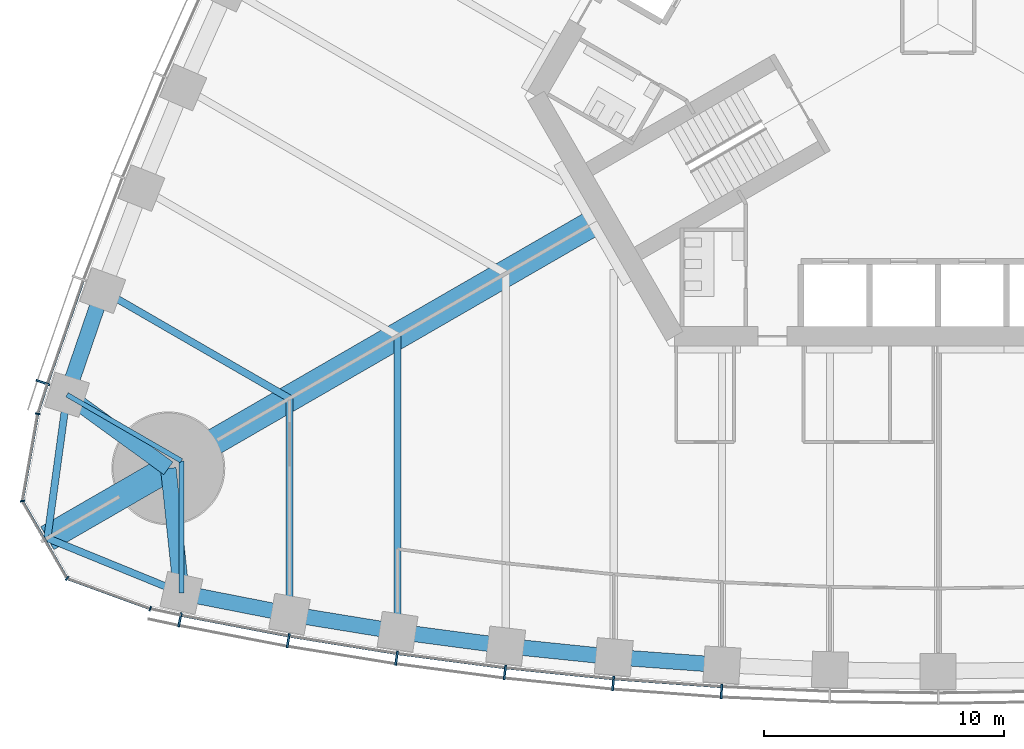
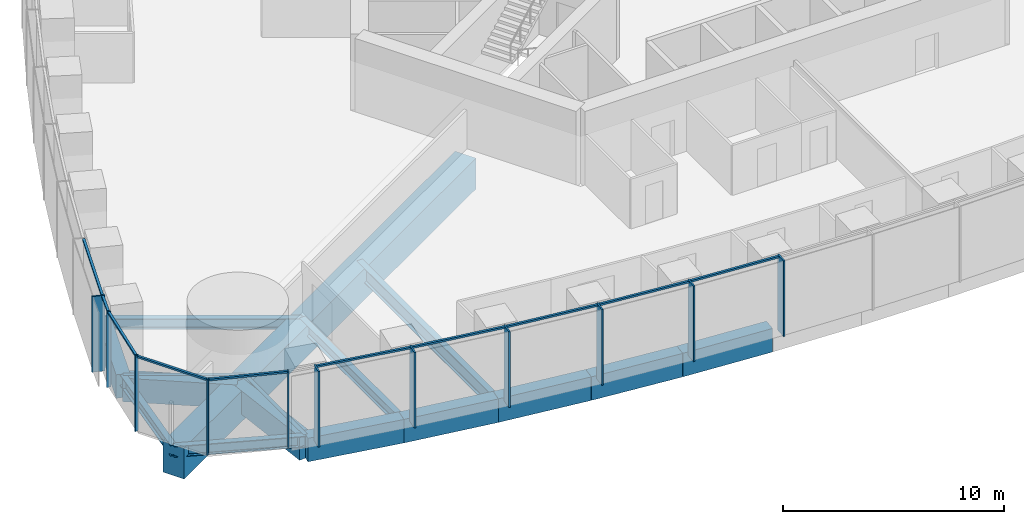
# One storey, part 2 of 19: 21 members, 17 beams, 3 elements without a shape of their own.
"""IFC4 building model written with IfcOpenShell, lengths in metres."""

from ifc_helpers import new_model, si_unit, direction, frame, origin, origin_2d, place, context, subcontext, project, spatial, rectangle, i_section, extrude, material, material_profile, profile_set, type_object, element, aggregate, save


model = new_model("IFC4")

# Units and contexts
model_context = context("Model", 3, precision=1e-05, world=origin(), true_north=direction((0.0, 1.0)))
body_context = subcontext(model_context, "Body", "Model", "MODEL_VIEW")
ifc_project = project(units=[si_unit("LENGTHUNIT", "METRE"), si_unit("AREAUNIT", "SQUARE_METRE"), si_unit("VOLUMEUNIT", "CUBIC_METRE"), si_unit("PLANEANGLEUNIT", "RADIAN"), si_unit("MASSUNIT", "GRAM", prefix="KILO")], contexts=[model_context])

# Site, building, storey
site_placement = place(None, origin())
site = spatial("IfcSite", under=ifc_project, at=site_placement, CompositionType="ELEMENT")
building_placement = place(site_placement, origin())
building = spatial("IfcBuilding", under=site, at=building_placement, Name="Trefoil Bronze Tower", CompositionType="ELEMENT")
storey_placement = place(building_placement, frame((0.0, 0.0, 16.5)))
storey = spatial("IfcBuildingStorey", under=building, at=storey_placement, Name="L03", CompositionType="ELEMENT", Elevation=16.5)

# Curtain wall, members
ifc_material_1 = material(Name="Tinted solar-control glass", Category="glass")
curtain_wall_type_1 = type_object("IfcCurtainWallType", Name="Bronze office curtain wall", PredefinedType="USERDEFINED", material=ifc_material_1)
curtain_wall_1_placement = place(storey_placement, origin())
curtain_wall_1 = element("IfcCurtainWall", 1, at=curtain_wall_1_placement, inside=storey, type_object=curtain_wall_type_1, Name="CW-A L03 F1", ObjectType="CURTAIN WALL", PredefinedType="USERDEFINED")
ifc_material_2 = material(Name="Bronze-finish aluminium", Category="aluminium")
ifc_material_profile_1 = material_profile(ifc_material_2, rectangle(XDim=0.60009765625, YDim=0.080078125, at=origin_2d()), Name="CW-A mullion")
ifc_profile_set_1 = profile_set([ifc_material_profile_1], Name="Bronze-finish aluminium")
member_type_1 = type_object("IfcMemberType", Name="Bronze office curtain wall mullion", PredefinedType="MULLION", material=ifc_profile_set_1)
member_1_placement = place(storey_placement, frame((-31.559326171875, -24.81005859375, 0.0), z_axis=(0.0, 0.0, 1.0), x_axis=(0.197910006829, 0.98022019424, 0.0)))
member_1 = element("IfcMember", 2, at=member_1_placement, type_object=member_type_1, Name="CW-A L03 F1 mullion 2", PredefinedType="MULLION", context=body_context, shape_type="SweptSolid", body=[
    extrude(rectangle(XDim=0.60009765625, YDim=0.080078125, at=origin_2d()), origin(), (0.0, 0.0, 1.0), 4.179931640625),
])
member_2_placement = place(storey_placement, frame((-27.05224609375, -25.67578125, 0.0), z_axis=(0.0, 0.0, 1.0), x_axis=(0.174131146426, 0.984722470468, 0.0)))
member_2 = element("IfcMember", 3, at=member_2_placement, type_object=member_type_1, Name="CW-A L03 F1 mullion 3", PredefinedType="MULLION", context=body_context, shape_type="SweptSolid", body=[
    extrude(rectangle(XDim=0.60009765625, YDim=0.080078125, at=origin_2d()), origin(), (0.0, 0.0, 1.0), 4.179931640625),
])
member_3_placement = place(storey_placement, frame((-22.54345703125, -26.40478515625, 0.0), z_axis=(0.0, 0.0, 1.0), x_axis=(0.145108990094, 0.989415676546, 0.0)))
member_3 = element("IfcMember", 4, at=member_3_placement, type_object=member_type_1, Name="CW-A L03 F1 mullion 4", PredefinedType="MULLION", context=body_context, shape_type="SweptSolid", body=[
    extrude(rectangle(XDim=0.60009765625, YDim=0.080078125, at=origin_2d()), origin(), (0.0, 0.0, 1.0), 4.179931640625),
])
member_4_placement = place(storey_placement, frame((-18.034912109375, -26.99853515625, 0.0), z_axis=(0.0, 0.0, 1.0), x_axis=(0.116086999973, 0.993239048989, 0.0)))
member_4 = element("IfcMember", 5, at=member_4_placement, type_object=member_type_1, Name="CW-A L03 F1 mullion 5", PredefinedType="MULLION", context=body_context, shape_type="SweptSolid", body=[
    extrude(rectangle(XDim=0.60009765625, YDim=0.080078125, at=origin_2d()), origin(), (0.0, 0.0, 1.0), 4.179931640625),
])
member_5_placement = place(storey_placement, frame((-13.526123046875, -27.458984375, 0.0), z_axis=(0.0, 0.0, 1.0), x_axis=(0.087065139456, 0.996202620701, 0.0)))
member_5 = element("IfcMember", 6, at=member_5_placement, type_object=member_type_1, Name="CW-A L03 F1 mullion 6", PredefinedType="MULLION", context=body_context, shape_type="SweptSolid", body=[
    extrude(rectangle(XDim=0.60009765625, YDim=0.080078125, at=origin_2d()), origin(), (0.0, 0.0, 1.0), 4.179931640625),
])
member_6_placement = place(storey_placement, frame((-9.017333984375, -27.786865234375, 0.0), z_axis=(0.0, 0.0, 1.0), x_axis=(0.058043374207, 0.998314062162, 0.0)))
member_6 = element("IfcMember", 7, at=member_6_placement, type_object=member_type_1, Name="CW-A L03 F1 mullion 7", PredefinedType="MULLION", context=body_context, shape_type="SweptSolid", body=[
    extrude(rectangle(XDim=0.60009765625, YDim=0.080078125, at=origin_2d()), origin(), (0.0, 0.0, 1.0), 4.179931640625),
])

# Curtain wall, member
curtain_wall_2_placement = place(storey_placement, origin())
curtain_wall_2 = element("IfcCurtainWall", 8, at=curtain_wall_2_placement, inside=storey, type_object=curtain_wall_type_1, Name="CW-A L03 F3", ObjectType="CURTAIN WALL", PredefinedType="USERDEFINED")
member_7_placement = place(storey_placement, frame((-37.265869140625, -14.92626953125, 0.0), z_axis=(0.0, 0.0, 1.0), x_axis=(0.947850592929, -0.318715003543, 0.0)))
member_7 = element("IfcMember", 9, at=member_7_placement, type_object=member_type_1, Name="CW-A L03 F3 mullion 16", PredefinedType="MULLION", context=body_context, shape_type="SweptSolid", body=[
    extrude(rectangle(XDim=0.60009765625, YDim=0.080078125, at=origin_2d()), origin(), (0.0, 0.0, 1.0), 4.179931640625),
])

# Member
ifc_material_3 = material(Name="Bronze-finish aluminium", Category="aluminium")
ifc_material_profile_2 = material_profile(ifc_material_3, rectangle(XDim=0.1201171875, YDim=0.10009765625, at=origin_2d()), Name="CW-A transom")
ifc_profile_set_2 = profile_set([ifc_material_profile_2], Name="Bronze-finish aluminium")
member_type_2 = type_object("IfcMemberType", Name="Bronze office curtain wall transom", PredefinedType="USERDEFINED", material=ifc_profile_set_2)
member_8_placement = place(storey_placement, frame((-31.4794921875, -24.621826171875, 4.1298828125), z_axis=(0.982053603997, -0.188602011855, 0.0), x_axis=(0.188602011855, 0.982053603997, 0.0)))
member_8 = element("IfcMember", 10, at=member_8_placement, type_object=member_type_2, Name="CW-A L03 F1 transom 2", ObjectType="TRANSOM", PredefinedType="USERDEFINED", context=body_context, shape_type="SweptSolid", body=[
    extrude(rectangle(XDim=0.1201171875, YDim=0.10009765625, at=origin_2d()), origin(), (0.0, 0.0, 1.0), 4.502197265625),
])

member_9_placement = place(storey_placement, frame((-26.9765625, -25.4853515625, 4.1298828125), z_axis=(0.987179401487, -0.159614627398, 0.0), x_axis=(0.159614627398, 0.987179401487, 0.0)))
member_9 = element("IfcMember", 11, at=member_9_placement, type_object=member_type_2, Name="CW-A L03 F1 transom 3", ObjectType="TRANSOM", PredefinedType="USERDEFINED", context=body_context, shape_type="SweptSolid", body=[
    extrude(rectangle(XDim=0.1201171875, YDim=0.10009765625, at=origin_2d()), origin(), (0.0, 0.0, 1.0), 4.478515625),
])

member_10_placement = place(storey_placement, frame((-22.473388671875, -26.212158203125, 4.1298828125), z_axis=(0.991436581643, -0.13058906761, 0.0), x_axis=(0.13058906761, 0.991436581643, 0.0)))
member_10 = element("IfcMember", 12, at=member_10_placement, type_object=member_type_2, Name="CW-A L03 F1 transom 4", ObjectType="TRANSOM", PredefinedType="USERDEFINED", context=body_context, shape_type="SweptSolid", body=[
    extrude(rectangle(XDim=0.1201171875, YDim=0.10009765625, at=origin_2d()), origin(), (0.0, 0.0, 1.0), 4.458740234375),
])

member_11_placement = place(storey_placement, frame((-17.970458984375, -26.80419921875, 4.1298828125), z_axis=(0.994831650915, -0.101538102888, 0.0), x_axis=(0.101538102888, 0.994831650915, 0.0)))
member_11 = element("IfcMember", 13, at=member_11_placement, type_object=member_type_2, Name="CW-A L03 F1 transom 5", ObjectType="TRANSOM", PredefinedType="USERDEFINED", context=body_context, shape_type="SweptSolid", body=[
    extrude(rectangle(XDim=0.1201171875, YDim=0.10009765625, at=origin_2d()), origin(), (0.0, 0.0, 1.0), 4.443359375),
])

member_12_placement = place(storey_placement, frame((-13.46728515625, -27.2626953125, 4.1298828125), z_axis=(0.997364729945, -0.07255064067, 0.0), x_axis=(0.07255064067, 0.997364729945, 0.0)))
member_12 = element("IfcMember", 14, at=member_12_placement, type_object=member_type_2, Name="CW-A L03 F1 transom 6", ObjectType="TRANSOM", PredefinedType="USERDEFINED", context=body_context, shape_type="SweptSolid", body=[
    extrude(rectangle(XDim=0.1201171875, YDim=0.10009765625, at=origin_2d()), origin(), (0.0, 0.0, 1.0), 4.431884765625),
])

aggregate(curtain_wall_1, [member_1, member_2, member_3, member_4, member_5, member_6, member_8, member_9, member_10, member_11, member_12])

member_13_placement = place(storey_placement, frame((-35.587646484375, -10.697509765625, 4.1298828125), z_axis=(-0.327689728493, -0.944785394595, 0.0), x_axis=(0.944785394595, -0.327689728493, 0.0)))
member_13 = element("IfcMember", 15, at=member_13_placement, type_object=member_type_2, Name="CW-A L03 F3 transom 15", ObjectType="TRANSOM", PredefinedType="USERDEFINED", context=body_context, shape_type="SweptSolid", body=[
    extrude(rectangle(XDim=0.1201171875, YDim=0.10009765625, at=origin_2d()), origin(), (0.0, 0.0, 1.0), 4.502197265625),
])

member_14_placement = place(storey_placement, frame((-37.089111328125, -15.02880859375, 4.1298828125), z_axis=(-0.309624219148, -0.950859002648, 0.0), x_axis=(0.950859002648, -0.309624219148, 0.0)))
member_14 = element("IfcMember", 16, at=member_14_placement, type_object=member_type_2, Name="CW-A L03 F3 transom 16", ObjectType="TRANSOM", PredefinedType="USERDEFINED", context=body_context, shape_type="SweptSolid", body=[
    extrude(rectangle(XDim=0.1201171875, YDim=0.10009765625, at=origin_2d()), origin(), (0.0, 0.0, 1.0), 1.21044921875),
])

aggregate(curtain_wall_2, [member_7, member_13, member_14])

# Curtain wall, members
ifc_material_4 = material(Name="Tinted solar-control glass", Category="glass")
curtain_wall_type_2 = type_object("IfcCurtainWallType", Name="Bronze rounded corner curtain wall", PredefinedType="USERDEFINED", material=ifc_material_4)
curtain_wall_3_placement = place(storey_placement, origin())
curtain_wall_3 = element("IfcCurtainWall", 17, at=curtain_wall_3_placement, inside=storey, type_object=curtain_wall_type_2, Name="CW-B L03 K3", ObjectType="CURTAIN WALL", PredefinedType="USERDEFINED")
ifc_material_5 = material(Name="Bronze-finish aluminium", Category="aluminium")
ifc_material_profile_3 = material_profile(ifc_material_5, rectangle(XDim=0.199951171875, YDim=0.06005859375, at=origin_2d()), Name="CW-B mullion")
ifc_profile_set_3 = profile_set([ifc_material_profile_3], Name="Bronze-finish aluminium")
member_type_3 = type_object("IfcMemberType", Name="Bronze rounded corner curtain wall mullion", PredefinedType="MULLION", material=ifc_profile_set_3)
member_15_placement = place(storey_placement, frame((-37.479736328125, -16.2314453125, 0.0), z_axis=(0.0, 0.0, 1.0), x_axis=(0.984807753012, -0.173648177667, 0.0)))
member_15 = element("IfcMember", 18, at=member_15_placement, type_object=member_type_3, Name="CW-B L03 K3 mullion 1", PredefinedType="MULLION", context=body_context, shape_type="SweptSolid", body=[
    extrude(rectangle(XDim=0.199951171875, YDim=0.06005859375, at=origin_2d()), origin(), (0.0, 0.0, 1.0), 4.179931640625),
])
member_16_placement = place(storey_placement, frame((-38.11328125, -19.85888671875, 0.0), z_axis=(0.0, 0.0, 1.0), x_axis=(0.984807753012, 0.173648177667, 0.0)))
member_16 = element("IfcMember", 19, at=member_16_placement, type_object=member_type_3, Name="CW-B L03 K3 mullion 2", PredefinedType="MULLION", context=body_context, shape_type="SweptSolid", body=[
    extrude(rectangle(XDim=0.199951171875, YDim=0.06005859375, at=origin_2d()), origin(), (0.0, 0.0, 1.0), 4.179931640625),
])
member_17_placement = place(storey_placement, frame((-36.2548828125, -23.07763671875, 0.0), z_axis=(0.0, 0.0, 1.0), x_axis=(0.642787609687, 0.766044443119, 0.0)))
member_17 = element("IfcMember", 20, at=member_17_placement, type_object=member_type_3, Name="CW-B L03 K3 mullion 3", PredefinedType="MULLION", context=body_context, shape_type="SweptSolid", body=[
    extrude(rectangle(XDim=0.199951171875, YDim=0.06005859375, at=origin_2d()), origin(), (0.0, 0.0, 1.0), 4.179931640625),
])
member_18_placement = place(storey_placement, frame((-32.796630859375, -24.3427734375, 0.0), z_axis=(0.0, 0.0, 1.0), x_axis=(0.342020143326, 0.939692620786, 0.0)))
member_18 = element("IfcMember", 21, at=member_18_placement, type_object=member_type_3, Name="CW-B L03 K3 mullion 4", PredefinedType="MULLION", context=body_context, shape_type="SweptSolid", body=[
    extrude(rectangle(XDim=0.199951171875, YDim=0.06005859375, at=origin_2d()), origin(), (0.0, 0.0, 1.0), 4.179931640625),
])
ifc_material_6 = material(Name="Bronze-finish aluminium", Category="aluminium")
ifc_material_profile_4 = material_profile(ifc_material_6, rectangle(XDim=0.1201171875, YDim=0.10009765625, at=origin_2d()), Name="CW-B transom")
ifc_profile_set_4 = profile_set([ifc_material_profile_4], Name="Bronze-finish aluminium")
member_type_4 = type_object("IfcMemberType", Name="Bronze rounded corner curtain wall transom", PredefinedType="USERDEFINED", material=ifc_profile_set_4)
member_19_placement = place(storey_placement, frame((-37.48486328125, -16.260986328125, 4.1298828125), z_axis=(-0.17363783606, -0.984809576461, 0.0), x_axis=(0.984809576461, -0.17363783606, 0.0)))
member_19 = element("IfcMember", 22, at=member_19_placement, type_object=member_type_4, Name="CW-B L03 K3 transom 1", ObjectType="TRANSOM", PredefinedType="USERDEFINED", context=body_context, shape_type="SweptSolid", body=[
    extrude(rectangle(XDim=0.1201171875, YDim=0.10009765625, at=origin_2d()), origin(), (0.0, 0.0, 1.0), 3.588134765625),
])
member_20_placement = place(storey_placement, frame((-38.08642578125, -19.91748046875, 4.1298828125), z_axis=(0.500024788772, -0.866011091507, 0.0), x_axis=(0.866011091507, 0.500024788772, 0.0)))
member_20 = element("IfcMember", 23, at=member_20_placement, type_object=member_type_4, Name="CW-B L03 K3 transom 2", ObjectType="TRANSOM", PredefinedType="USERDEFINED", context=body_context, shape_type="SweptSolid", body=[
    extrude(rectangle(XDim=0.1201171875, YDim=0.10009765625, at=origin_2d()), origin(), (0.0, 0.0, 1.0), 3.588134765625),
])
member_21_placement = place(storey_placement, frame((-36.196533203125, -23.105224609375, 4.1298828125), z_axis=(0.939688092095, -0.342032585545, 0.0), x_axis=(0.342032585545, 0.939688092095, 0.0)))
member_21 = element("IfcMember", 24, at=member_21_placement, type_object=member_type_4, Name="CW-B L03 K3 transom 3", ObjectType="TRANSOM", PredefinedType="USERDEFINED", context=body_context, shape_type="SweptSolid", body=[
    extrude(rectangle(XDim=0.1201171875, YDim=0.10009765625, at=origin_2d()), origin(), (0.0, 0.0, 1.0), 3.588134765625),
])
aggregate(curtain_wall_3, [member_15, member_16, member_17, member_18, member_19, member_20, member_21])

# Beams
ifc_material_7 = material(Name="Concrete B80", Category="concrete")
ifc_material_profile_5 = material_profile(ifc_material_7, rectangle(XDim=1.10009765625, YDim=1.699951171875, at=origin_2d()), Name="RC 1100x1700")
ifc_profile_set_5 = profile_set([ifc_material_profile_5], Name="Concrete B80")
beam_type_1 = type_object("IfcBeamType", Name="Corner cantilever RC 1100x1700", PredefinedType="BEAM", material=ifc_profile_set_5)
beam_1_placement = place(storey_placement, frame((-32.04296875, -18.5, -1.050048828125), z_axis=(-0.866030348588, -0.499991435252, 0.0), x_axis=(0.499991435252, -0.866030348588, 0.0)))
element("IfcBeam", 25, at=beam_1_placement, inside=storey, type_object=beam_type_1, Name="Corner cantilever K3 L03", PredefinedType="BEAM", context=body_context, shape_type="SweptSolid", body=[
    extrude(rectangle(XDim=1.10009765625, YDim=1.699951171875, at=origin_2d()), origin(), (0.0, 0.0, 1.0), 5.81396484375),
])
ifc_material_8 = material(Name="Steel C355", Category="steel")
ifc_material_profile_6 = material_profile(ifc_material_8, i_section(OverallWidth=0.300048828125, OverallDepth=0.60009765625, WebThickness=0.015380859375, FlangeThickness=0.030029296875, FilletRadius=0.027099609375, at=origin_2d()), Name="HEB 600")
ifc_profile_set_6 = profile_set([ifc_material_profile_6], Name="Steel C355")
beam_type_2 = type_object("IfcBeamType", Name="Corner edge beam HEB 600", PredefinedType="BEAM", material=ifc_profile_set_6)
beam_2_placement = place(storey_placement, frame((-31.5, -23.684814453125, -0.5), z_axis=(-0.925786874353, 0.378045848114, 0.0), x_axis=(-0.378045848114, -0.925786874353, 0.0)))
element("IfcBeam", 26, at=beam_2_placement, inside=storey, type_object=beam_type_2, Name="Corner edge beam F1B L03", PredefinedType="BEAM", context=body_context, shape_type="SweptSolid", body=[
    extrude(i_section(OverallWidth=0.300048828125, OverallDepth=0.60009765625, WebThickness=0.015380859375, FlangeThickness=0.030029296875, FilletRadius=0.027099609375, at=origin_2d()), origin(), (0.0, 0.0, 1.0), 6.025390625),
])
beam_3_placement = place(storey_placement, frame((-36.26171875, -15.4375, -0.5), z_axis=(-0.13550196505, -0.990777077585, 0.0), x_axis=(0.990777077585, -0.13550196505, 0.0)))
element("IfcBeam", 27, at=beam_3_placement, inside=storey, type_object=beam_type_2, Name="Corner edge beam F3A L03", PredefinedType="BEAM", context=body_context, shape_type="SweptSolid", body=[
    extrude(i_section(OverallWidth=0.300048828125, OverallDepth=0.60009765625, WebThickness=0.015380859375, FlangeThickness=0.030029296875, FilletRadius=0.027099609375, at=origin_2d()), origin(), (0.0, 0.0, 1.0), 6.025146484375),
])
ifc_material_9 = material(Name="Concrete B80", Category="concrete")
ifc_material_profile_7 = material_profile(ifc_material_9, rectangle(XDim=1.10009765625, YDim=1.699951171875, at=origin_2d()), Name="RC 1100x1700")
ifc_profile_set_7 = profile_set([ifc_material_profile_7], Name="Concrete B80")
beam_type_3 = type_object("IfcBeamType", Name="Corner girder RC 1100x1700", PredefinedType="BEAM", material=ifc_profile_set_7)
beam_4_placement = place(storey_placement, frame((-14.202880859375, -8.199951171875, -1.050048828125), z_axis=(-0.866023947468, -0.500002522405, 0.0), x_axis=(0.500002522405, -0.866023947468, 0.0)))
element("IfcBeam", 28, at=beam_4_placement, inside=storey, type_object=beam_type_3, Name="Corner girder K3 L03", PredefinedType="BEAM", context=body_context, shape_type="SweptSolid", body=[
    extrude(rectangle(XDim=1.10009765625, YDim=1.699951171875, at=origin_2d()), origin(), (0.0, 0.0, 1.0), 20.60009765625),
])
ifc_material_10 = material(Name="Concrete B80", Category="concrete")
ifc_material_profile_8 = material_profile(ifc_material_10, rectangle(XDim=0.64990234375, YDim=1.300048828125, at=origin_2d()), Name="RC 650x1300")
ifc_profile_set_8 = profile_set([ifc_material_profile_8], Name="Concrete B80")
beam_type_4 = type_object("IfcBeamType", Name="End spandrel beam RC 650x1300", PredefinedType="SPANDREL", material=ifc_profile_set_8)
for number, where, z_axis, x_axis, name in (
    (29, (-32.04296875, -18.5, -0.85009765625), (0.104153327908, -0.994561252154, 0.0), (0.994561252154, 0.104153327908, 0.0), "Spandrel F1.1 L03"),
    (30, (-36.26171875, -15.4375, -0.85009765625), (0.809254211267, -0.587458612624, 0.0), (0.587458612624, 0.809254211267, 0.0), "Spandrel F3.16 L03"),
):
    element("IfcBeam", number, at=place(storey_placement, frame(where, z_axis=z_axis, x_axis=x_axis)), inside=storey, type_object=beam_type_4, Name=name, PredefinedType="SPANDREL", context=body_context, shape_type="SweptSolid", body=[
        extrude(rectangle(XDim=0.64990234375, YDim=1.300048828125, at=origin_2d()), origin(), (0.0, 0.0, 1.0), 5.213134765625),
    ])
ifc_material_11 = material(Name="Steel C355", Category="steel")
ifc_material_profile_9 = material_profile(ifc_material_11, i_section(OverallWidth=0.300048828125, OverallDepth=0.590087890625, WebThickness=0.012939453125, FlangeThickness=0.02490234375, FilletRadius=0.027099609375, at=origin_2d()), Name="HEA 600")
ifc_profile_set_9 = profile_set([ifc_material_profile_9], Name="Steel C355")
beam_type_5 = type_object("IfcBeamType", Name="Floor beam HEA 600", PredefinedType="BEAM", material=ifc_profile_set_9)
for number, where, z_axis, x_axis, name in (
    (31, (-27.0, -24.56787109375, -0.4951171875), (0.0, 1.0, 0.0), (-1.0, 0.0, 0.0), "Floor beam F1/-6 L03"),
    (32, (-34.7763671875, -11.0986328125, -0.4951171875), (0.866022587327, -0.500004878216, 0.0), (0.500004878216, 0.866022587327, 0.0), "Floor beam F3/+6 L03"),
):
    element("IfcBeam", number, at=place(storey_placement, frame(where, z_axis=z_axis, x_axis=x_axis)), inside=storey, type_object=beam_type_5, Name=name, PredefinedType="BEAM", context=body_context, shape_type="SweptSolid", body=[
        extrude(i_section(OverallWidth=0.300048828125, OverallDepth=0.590087890625, WebThickness=0.012939453125, FlangeThickness=0.02490234375, FilletRadius=0.027099609375, at=origin_2d()), origin(), (0.0, 0.0, 1.0), 8.9794921875),
    ])
ifc_material_12 = material(Name="Steel C355", Category="steel")
ifc_material_profile_10 = material_profile(ifc_material_12, i_section(OverallWidth=0.300048828125, OverallDepth=0.800048828125, WebThickness=0.017578125, FlangeThickness=0.032958984375, FilletRadius=0.030029296875, at=origin_2d()), Name="HEB 800")
ifc_profile_set_10 = profile_set([ifc_material_profile_10], Name="Steel C355")
beam_type_6 = type_object("IfcBeamType", Name="Floor beam HEB 800", PredefinedType="BEAM", material=ifc_profile_set_10)
beam_5_placement = place(storey_placement, frame((-22.5, -25.29931640625, -0.60009765625), z_axis=(0.0, 1.0, 0.0), x_axis=(-1.0, 0.0, 0.0)))
element("IfcBeam", 33, at=beam_5_placement, inside=storey, type_object=beam_type_6, Name="Floor beam F1/-5 L03", PredefinedType="BEAM", context=body_context, shape_type="SweptSolid", body=[
    extrude(i_section(OverallWidth=0.300048828125, OverallDepth=0.800048828125, WebThickness=0.017578125, FlangeThickness=0.032958984375, FilletRadius=0.030029296875, at=origin_2d()), origin(), (0.0, 0.0, 1.0), 12.308837890625),
])
ifc_material_13 = material(Name="Steel C355", Category="steel")
ifc_material_profile_11 = material_profile(ifc_material_13, i_section(OverallWidth=0.199951171875, OverallDepth=0.5, WebThickness=0.01025390625, FlangeThickness=0.01611328125, FilletRadius=0.02099609375, at=origin_2d()), Name="IPE 500")
ifc_profile_set_11 = profile_set([ifc_material_profile_11], Name="Steel C355")
beam_type_7 = type_object("IfcBeamType", Name="Floor beam IPE 500", PredefinedType="BEAM", material=ifc_profile_set_11)
for number, where, z_axis, x_axis, name in (
    (34, (-31.5, -23.684814453125, -0.449951171875), (0.0, 1.0, 0.0), (-1.0, 0.0, 0.0), "Floor beam F1/-7 L03"),
    (35, (-36.26171875, -15.4375, -0.449951171875), (0.866037702141, -0.499978698016, 0.0), (0.499978698016, 0.866037702141, 0.0), "Floor beam F3/+7 L03"),
):
    element("IfcBeam", number, at=place(storey_placement, frame(where, z_axis=z_axis, x_axis=x_axis)), inside=storey, type_object=beam_type_7, Name=name, PredefinedType="BEAM", context=body_context, shape_type="SweptSolid", body=[
        extrude(i_section(OverallWidth=0.199951171875, OverallDepth=0.5, WebThickness=0.01025390625, FlangeThickness=0.01611328125, FilletRadius=0.02099609375, at=origin_2d()), origin(), (0.0, 0.0, 1.0), 5.498291015625),
    ])
ifc_material_14 = material(Name="Concrete B80", Category="concrete")
ifc_material_profile_12 = material_profile(ifc_material_14, rectangle(XDim=0.64990234375, YDim=1.300048828125, at=origin_2d()), Name="RC 650x1300")
ifc_profile_set_12 = profile_set([ifc_material_profile_12], Name="Concrete B80")
beam_type_8 = type_object("IfcBeamType", Name="Spandrel beam RC 650x1300", PredefinedType="SPANDREL", material=ifc_profile_set_12)
beam_6_placement = place(storey_placement, frame((-31.5, -23.684814453125, -0.85009765625), z_axis=(0.981284764092, -0.192562228283, 0.0), x_axis=(0.192562228283, 0.981284764092, 0.0)))
element("IfcBeam", 36, at=beam_6_placement, inside=storey, type_object=beam_type_8, Name="Spandrel F1.2 L03", PredefinedType="SPANDREL", context=body_context, shape_type="SweptSolid", body=[
    extrude(rectangle(XDim=0.64990234375, YDim=1.300048828125, at=origin_2d()), origin(), (0.0, 0.0, 1.0), 4.5859375),
])
beam_7_placement = place(storey_placement, frame((-27.0, -24.56787109375, -0.85009765625), z_axis=(0.987045951254, -0.160437807615, 0.0), x_axis=(0.160437807615, 0.987045951254, 0.0)))
element("IfcBeam", 37, at=beam_7_placement, inside=storey, type_object=beam_type_8, Name="Spandrel F1.3 L03", PredefinedType="SPANDREL", context=body_context, shape_type="SweptSolid", body=[
    extrude(rectangle(XDim=0.64990234375, YDim=1.300048828125, at=origin_2d()), origin(), (0.0, 0.0, 1.0), 4.55908203125),
])
beam_8_placement = place(storey_placement, frame((-22.5, -25.29931640625, -0.85009765625), z_axis=(0.991344474846, -0.131286450906, 0.0), x_axis=(0.131286450906, 0.991344474846, 0.0)))
element("IfcBeam", 38, at=beam_8_placement, inside=storey, type_object=beam_type_8, Name="Spandrel F1.4 L03", PredefinedType="SPANDREL", context=body_context, shape_type="SweptSolid", body=[
    extrude(rectangle(XDim=0.64990234375, YDim=1.300048828125, at=origin_2d()), origin(), (0.0, 0.0, 1.0), 4.539306640625),
])
beam_9_placement = place(storey_placement, frame((-18.0, -25.895263671875, -0.85009765625), z_axis=(0.994778488621, -0.102057623805, 0.0), x_axis=(0.102057623805, 0.994778488621, 0.0)))
element("IfcBeam", 39, at=beam_9_placement, inside=storey, type_object=beam_type_8, Name="Spandrel F1.5 L03", PredefinedType="SPANDREL", context=body_context, shape_type="SweptSolid", body=[
    extrude(rectangle(XDim=0.64990234375, YDim=1.300048828125, at=origin_2d()), origin(), (0.0, 0.0, 1.0), 4.523681640625),
])
beam_10_placement = place(storey_placement, frame((-13.5, -26.35693359375, -0.85009765625), z_axis=(0.997336412354, -0.072938882588, 0.0), x_axis=(0.072938882588, 0.997336412354, 0.0)))
element("IfcBeam", 40, at=beam_10_placement, inside=storey, type_object=beam_type_8, Name="Spandrel F1.6 L03", PredefinedType="SPANDREL", context=body_context, shape_type="SweptSolid", body=[
    extrude(rectangle(XDim=0.64990234375, YDim=1.300048828125, at=origin_2d()), origin(), (0.0, 0.0, 1.0), 4.511962890625),
])
beam_11_placement = place(storey_placement, frame((-34.7763671875, -11.0986328125, -0.85009765625), z_axis=(-0.323883319148, -0.946097032855, 0.0), x_axis=(0.946097032855, -0.323883319148, 0.0)))
element("IfcBeam", 41, at=beam_11_placement, inside=storey, type_object=beam_type_8, Name="Spandrel F3.15 L03", PredefinedType="SPANDREL", context=body_context, shape_type="SweptSolid", body=[
    extrude(rectangle(XDim=0.64990234375, YDim=1.300048828125, at=origin_2d()), origin(), (0.0, 0.0, 1.0), 4.586181640625),
])

save(model, "model.ifc")
